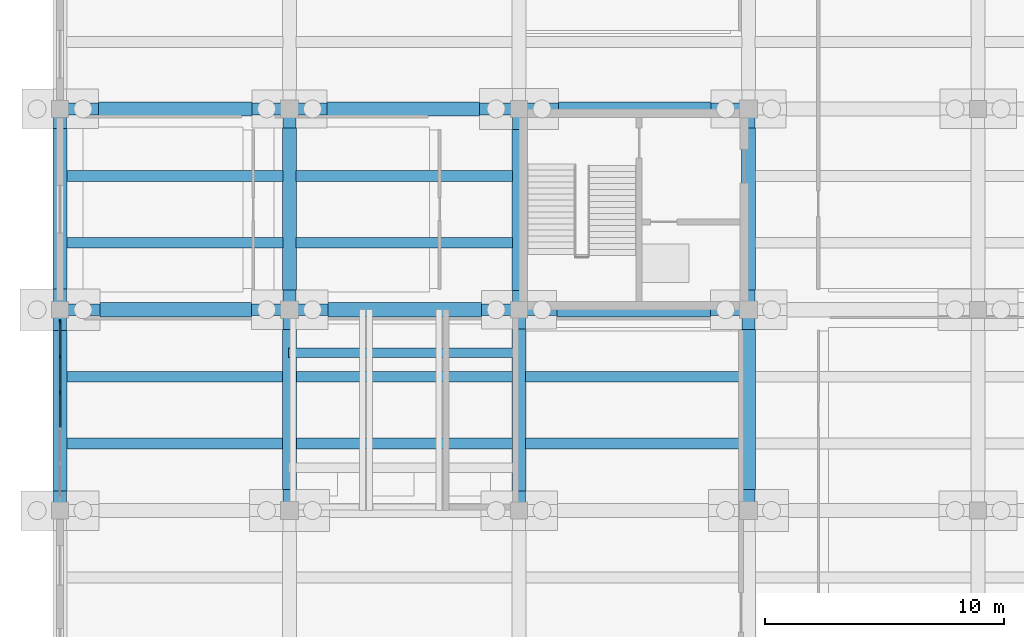
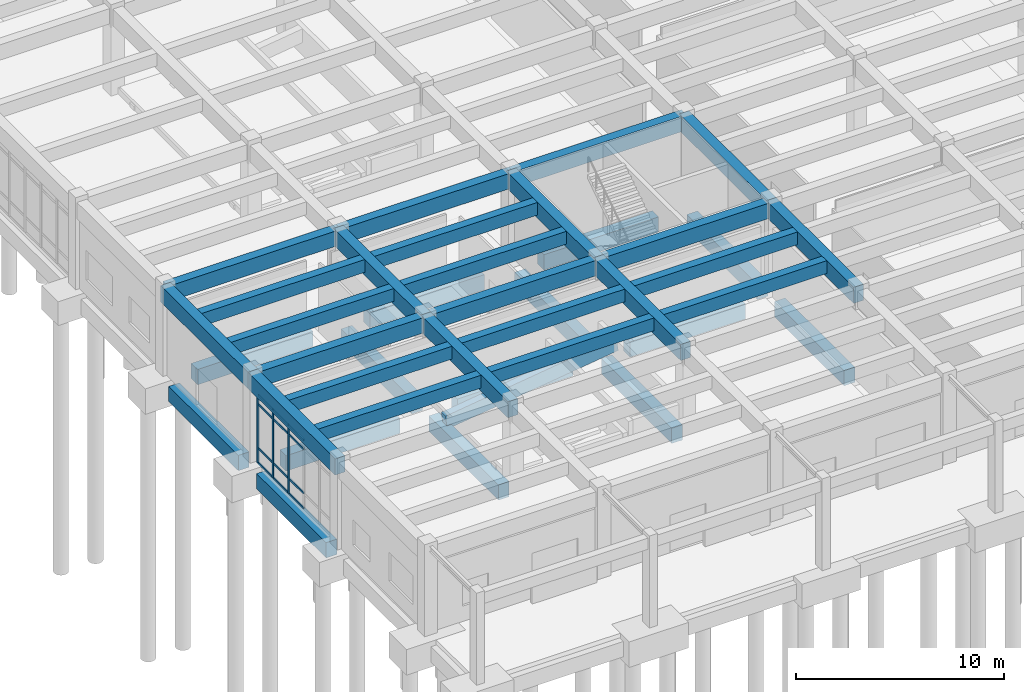
# One storey, part 12 of 102: 39 beams, 15 members, 1 element without a shape of its own.
"""IFC4 building model written with IfcOpenShell, lengths in metres."""

from ifc_helpers import new_model, si_unit, direction, frame, origin, origin_2d, place, context, subcontext, project, spatial, rectangle, extrude, material, layer, layer_set, material_profile, profile_set, type_object, element, aggregate, save


model = new_model("IFC4")

# Units and contexts
model_context = context("Model", 3, precision=1e-05, world=origin(), true_north=direction((0.0, 1.0)))
body_context = subcontext(model_context, "Body", "Model", "MODEL_VIEW")
ifc_project = project(units=[si_unit("LENGTHUNIT", "METRE"), si_unit("AREAUNIT", "SQUARE_METRE"), si_unit("VOLUMEUNIT", "CUBIC_METRE"), si_unit("PLANEANGLEUNIT", "RADIAN"), si_unit("MASSUNIT", "GRAM", prefix="KILO")], contexts=[model_context])

# Site, building, storey
site_placement = place(None, origin())
site = spatial("IfcSite", under=ifc_project, at=site_placement, CompositionType="ELEMENT")
building_placement = place(site_placement, origin())
building = spatial("IfcBuilding", under=site, at=building_placement, Name="Kolvemor Railside Polytechnic", CompositionType="ELEMENT")
storey_placement = place(building_placement, origin())
storey = spatial("IfcBuildingStorey", under=building, at=storey_placement, Name="L00", CompositionType="ELEMENT", Elevation=0.0)

# Beams
ifc_material_1 = material(Name="Concrete C40/50", Category="concrete")
ifc_material_profile_1 = material_profile(ifc_material_1, rectangle(XDim=0.550048828125, YDim=0.949951171875, at=origin_2d()), Name="RC550x950")
ifc_profile_set_1 = profile_set([ifc_material_profile_1], Name="Concrete C40/50")
beam_type_1 = type_object("IfcBeamType", Name="BM-RC-GIRD", PredefinedType="BEAM", material=ifc_profile_set_1)
beam_1_placement = place(storey_placement, frame((0.0, 13.199951171875, 4.635009765625), z_axis=(0.0, 1.0, 0.0), x_axis=(-1.0, 0.0, 0.0)))
element("IfcBeam", 1, at=beam_1_placement, inside=storey, type_object=beam_type_1, Name="Primary Girder L01-GY 0052", PredefinedType="BEAM", context=body_context, shape_type="SweptSolid", body=[
    extrude(rectangle(XDim=0.550048828125, YDim=0.949951171875, at=origin_2d()), origin(), (0.0, 0.0, 1.0), 8.400146484375),
])
beam_2_placement = place(storey_placement, frame((0.0, 21.60009765625, 4.635009765625), z_axis=(0.0, 1.0, 0.0), x_axis=(-1.0, 0.0, 0.0)))
element("IfcBeam", 2, at=beam_2_placement, inside=storey, type_object=beam_type_1, Name="Primary Girder L01-GY 0053", PredefinedType="BEAM", context=body_context, shape_type="SweptSolid", body=[
    extrude(rectangle(XDim=0.550048828125, YDim=0.949951171875, at=origin_2d()), origin(), (0.0, 0.0, 1.0), 8.39990234375),
])
beam_3_placement = place(storey_placement, frame((9.60009765625, 13.199951171875, 4.635009765625), z_axis=(0.0, 1.0, 0.0), x_axis=(-1.0, 0.0, 0.0)))
element("IfcBeam", 3, at=beam_3_placement, inside=storey, type_object=beam_type_1, Name="Primary Girder L01-GY 0061", PredefinedType="BEAM", context=body_context, shape_type="SweptSolid", body=[
    extrude(rectangle(XDim=0.550048828125, YDim=0.949951171875, at=origin_2d()), origin(), (0.0, 0.0, 1.0), 8.400146484375),
])
beam_4_placement = place(storey_placement, frame((9.60009765625, 21.60009765625, 4.635009765625), z_axis=(0.0, 1.0, 0.0), x_axis=(-1.0, 0.0, 0.0)))
element("IfcBeam", 4, at=beam_4_placement, inside=storey, type_object=beam_type_1, Name="Primary Girder L01-GY 0062", PredefinedType="BEAM", context=body_context, shape_type="SweptSolid", body=[
    extrude(rectangle(XDim=0.550048828125, YDim=0.949951171875, at=origin_2d()), origin(), (0.0, 0.0, 1.0), 8.39990234375),
])
beam_5_placement = place(storey_placement, frame((19.199951171875, 13.199951171875, 4.635009765625), z_axis=(0.0, 1.0, 0.0), x_axis=(-1.0, 0.0, 0.0)))
element("IfcBeam", 5, at=beam_5_placement, inside=storey, type_object=beam_type_1, Name="Primary Girder L01-GY 0070", PredefinedType="BEAM", context=body_context, shape_type="SweptSolid", body=[
    extrude(rectangle(XDim=0.550048828125, YDim=0.949951171875, at=origin_2d()), origin(), (0.0, 0.0, 1.0), 8.400146484375),
])
beam_6_placement = place(storey_placement, frame((19.199951171875, 21.60009765625, 4.635009765625), z_axis=(0.0, 1.0, 0.0), x_axis=(-1.0, 0.0, 0.0)))
element("IfcBeam", 6, at=beam_6_placement, inside=storey, type_object=beam_type_1, Name="Primary Girder L01-GY 0071", PredefinedType="BEAM", context=body_context, shape_type="SweptSolid", body=[
    extrude(rectangle(XDim=0.550048828125, YDim=0.949951171875, at=origin_2d()), origin(), (0.0, 0.0, 1.0), 8.39990234375),
])
beam_7_placement = place(storey_placement, frame((28.800048828125, 13.199951171875, 4.635009765625), z_axis=(0.0, 1.0, 0.0), x_axis=(-1.0, 0.0, 0.0)))
element("IfcBeam", 7, at=beam_7_placement, inside=storey, type_object=beam_type_1, Name="Primary Girder L01-GY 0079", PredefinedType="BEAM", context=body_context, shape_type="SweptSolid", body=[
    extrude(rectangle(XDim=0.550048828125, YDim=0.949951171875, at=origin_2d()), origin(), (0.0, 0.0, 1.0), 8.400146484375),
])
beam_8_placement = place(storey_placement, frame((28.800048828125, 21.60009765625, 4.635009765625), z_axis=(0.0, 1.0, 0.0), x_axis=(-1.0, 0.0, 0.0)))
element("IfcBeam", 8, at=beam_8_placement, inside=storey, type_object=beam_type_1, Name="Primary Girder L01-GY 0080", PredefinedType="BEAM", context=body_context, shape_type="SweptSolid", body=[
    extrude(rectangle(XDim=0.550048828125, YDim=0.949951171875, at=origin_2d()), origin(), (0.0, 0.0, 1.0), 8.39990234375),
])
ifc_material_2 = material(Name="Concrete C40/50", Category="concrete")
ifc_material_profile_2 = material_profile(ifc_material_2, rectangle(XDim=0.5, YDim=0.89990234375, at=origin_2d()), Name="RC500x900")
ifc_profile_set_2 = profile_set([ifc_material_profile_2], Name="Concrete C40/50")
beam_type_2 = type_object("IfcBeamType", Name="BM-RC-GIRD4", PredefinedType="BEAM", material=ifc_profile_set_2)
beam_9_placement = place(storey_placement, frame((0.0, 21.60009765625, 4.659912109375), z_axis=(1.0, 0.0, 0.0), x_axis=(0.0, 1.0, 0.0)))
element("IfcBeam", 9, at=beam_9_placement, inside=storey, type_object=beam_type_2, Name="Primary Girder L01-GX 0011", PredefinedType="BEAM", context=body_context, shape_type="SweptSolid", body=[
    extrude(rectangle(XDim=0.5, YDim=0.89990234375, at=origin_2d()), origin(), (0.0, 0.0, 1.0), 9.60009765625),
])
beam_10_placement = place(storey_placement, frame((9.60009765625, 21.60009765625, 4.659912109375), z_axis=(1.0, 0.0, 0.0), x_axis=(0.0, 1.0, 0.0)))
element("IfcBeam", 10, at=beam_10_placement, inside=storey, type_object=beam_type_2, Name="Primary Girder L01-GX 0012", PredefinedType="BEAM", context=body_context, shape_type="SweptSolid", body=[
    extrude(rectangle(XDim=0.5, YDim=0.89990234375, at=origin_2d()), origin(), (0.0, 0.0, 1.0), 9.599853515625),
])
for number, where, z_axis, x_axis, name in (
    (11, (19.199951171875, 21.60009765625, 4.659912109375), (1.0, 0.0, 0.0), (0.0, 1.0, 0.0), "Primary Girder L01-GX 0013"),
    (12, (0.0, 30.0, 4.659912109375), (1.0, 0.0, 0.0), (0.0, 1.0, 0.0), "Primary Girder L01-GX 0016"),
):
    element("IfcBeam", number, at=place(storey_placement, frame(where, z_axis=z_axis, x_axis=x_axis)), inside=storey, type_object=beam_type_2, Name=name, PredefinedType="BEAM", context=body_context, shape_type="SweptSolid", body=[
        extrude(rectangle(XDim=0.5, YDim=0.89990234375, at=origin_2d()), origin(), (0.0, 0.0, 1.0), 9.60009765625),
    ])
beam_11_placement = place(storey_placement, frame((9.60009765625, 30.0, 4.659912109375), z_axis=(1.0, 0.0, 0.0), x_axis=(0.0, 1.0, 0.0)))
element("IfcBeam", 13, at=beam_11_placement, inside=storey, type_object=beam_type_2, Name="Primary Girder L01-GX 0017", PredefinedType="BEAM", context=body_context, shape_type="SweptSolid", body=[
    extrude(rectangle(XDim=0.5, YDim=0.89990234375, at=origin_2d()), origin(), (0.0, 0.0, 1.0), 9.599853515625),
])
beam_12_placement = place(storey_placement, frame((19.199951171875, 30.0, 4.659912109375), z_axis=(1.0, 0.0, 0.0), x_axis=(0.0, 1.0, 0.0)))
element("IfcBeam", 14, at=beam_12_placement, inside=storey, type_object=beam_type_2, Name="Primary Girder L01-GX 0018", PredefinedType="BEAM", context=body_context, shape_type="SweptSolid", body=[
    extrude(rectangle(XDim=0.5, YDim=0.89990234375, at=origin_2d()), origin(), (0.0, 0.0, 1.0), 9.60009765625),
])
ifc_material_3 = material(Name="Concrete C40/50", Category="concrete")
ifc_material_profile_3 = material_profile(ifc_material_3, rectangle(XDim=0.39990234375, YDim=0.800048828125, at=origin_2d()), Name="RC400x800")
ifc_profile_set_3 = profile_set([ifc_material_profile_3], Name="Concrete C40/50")
beam_type_3 = type_object("IfcBeamType", Name="BM-RC-RAKER", PredefinedType="BEAM", material=ifc_profile_set_3)
beam_13_placement = place(storey_placement, frame((9.60009765625, 19.800048828125, -0.10009765625), z_axis=(0.990765911477, 0.0, 0.135583585491), x_axis=(0.0, 1.0, 0.0)))
element("IfcBeam", 15, at=beam_13_placement, inside=storey, type_object=beam_type_3, Name="Lecture Raker Beam RK-1-2", PredefinedType="BEAM", context=body_context, shape_type="SweptSolid", body=[
    extrude(rectangle(XDim=0.39990234375, YDim=0.800048828125, at=origin_2d()), origin(), (0.0, 0.0, 1.0), 9.588623046875),
])
ifc_material_4 = material(Name="Concrete C40/50", Category="concrete")
ifc_material_profile_4 = material_profile(ifc_material_4, rectangle(XDim=0.449951171875, YDim=0.75, at=origin_2d()), Name="RC450x750")
ifc_profile_set_4 = profile_set([ifc_material_profile_4], Name="Concrete C40/50")
beam_type_4 = type_object("IfcBeamType", Name="BM-RC-SEC", PredefinedType="JOIST", material=ifc_profile_set_4)
for number, where, z_axis, x_axis, name in (
    (16, (0.27490234375, 16.0, 4.735107421875), (1.0, 0.0, 0.0), (0.0, 1.0, 0.0), "Floor Joist L01-J0107"),
    (17, (0.27490234375, 18.800048828125, 4.735107421875), (1.0, 0.0, 0.0), (0.0, 1.0, 0.0), "Floor Joist L01-J0108"),
    (18, (0.27490234375, 24.39990234375, 4.735107421875), (1.0, 0.0, 0.0), (0.0, 1.0, 0.0), "Floor Joist L01-J0109"),
    (19, (0.27490234375, 27.199951171875, 4.735107421875), (1.0, 0.0, 0.0), (0.0, 1.0, 0.0), "Floor Joist L01-J0110"),
    (20, (9.875, 16.0, 4.735107421875), (1.0, 0.0, 0.0), (0.0, 1.0, 0.0), "Floor Joist L01-J0125"),
    (21, (9.875, 18.800048828125, 4.735107421875), (1.0, 0.0, 0.0), (0.0, 1.0, 0.0), "Floor Joist L01-J0126"),
    (22, (9.875, 24.39990234375, 4.735107421875), (1.0, 0.0, 0.0), (0.0, 1.0, 0.0), "Floor Joist L01-J0127"),
    (23, (9.875, 27.199951171875, 4.735107421875), (1.0, 0.0, 0.0), (0.0, 1.0, 0.0), "Floor Joist L01-J0128"),
):
    element("IfcBeam", number, at=place(storey_placement, frame(where, z_axis=z_axis, x_axis=x_axis)), inside=storey, type_object=beam_type_4, Name=name, PredefinedType="JOIST", context=body_context, shape_type="SweptSolid", body=[
        extrude(rectangle(XDim=0.449951171875, YDim=0.75, at=origin_2d()), origin(), (0.0, 0.0, 1.0), 9.050048828125),
    ])
for number, where, z_axis, x_axis, name in (
    (24, (19.47509765625, 16.0, 4.735107421875), (1.0, 0.0, 0.0), (0.0, 1.0, 0.0), "Floor Joist L01-J0143"),
    (25, (19.47509765625, 18.800048828125, 4.735107421875), (1.0, 0.0, 0.0), (0.0, 1.0, 0.0), "Floor Joist L01-J0144"),
):
    element("IfcBeam", number, at=place(storey_placement, frame(where, z_axis=z_axis, x_axis=x_axis)), inside=storey, type_object=beam_type_4, Name=name, PredefinedType="JOIST", context=body_context, shape_type="SweptSolid", body=[
        extrude(rectangle(XDim=0.449951171875, YDim=0.75, at=origin_2d()), origin(), (0.0, 0.0, 1.0), 9.0498046875),
    ])
ifc_material_5 = material(Name="Concrete C40/50", Category="concrete")
ifc_material_profile_5 = material_profile(ifc_material_5, rectangle(XDim=0.60009765625, YDim=0.89990234375, at=origin_2d()), Name="RC600x900")
ifc_profile_set_5 = profile_set([ifc_material_profile_5], Name="Concrete C40/50")
beam_type_5 = type_object("IfcBeamType", Name="BM-RC-TIE", PredefinedType="BEAM", material=ifc_profile_set_5)
beam_14_placement = place(storey_placement, frame((1.677001953125, 21.60009765625, -0.75), z_axis=(1.0, 0.0, 0.0), x_axis=(0.0, 1.0, 0.0)))
element("IfcBeam", 26, at=beam_14_placement, inside=storey, type_object=beam_type_5, Name="Ground Tie Beam GTB-X065", PredefinedType="BEAM", context=body_context, shape_type="SweptSolid", body=[
    extrude(rectangle(XDim=0.60009765625, YDim=0.89990234375, at=origin_2d()), origin(), (0.0, 0.0, 1.0), 6.321044921875),
])
beam_15_placement = place(storey_placement, frame((11.201904296875, 21.60009765625, -0.75), z_axis=(1.0, 0.0, 0.0), x_axis=(0.0, 1.0, 0.0)))
element("IfcBeam", 27, at=beam_15_placement, inside=storey, type_object=beam_type_5, Name="Ground Tie Beam GTB-X066", PredefinedType="BEAM", context=body_context, shape_type="SweptSolid", body=[
    extrude(rectangle(XDim=0.60009765625, YDim=0.89990234375, at=origin_2d()), origin(), (0.0, 0.0, 1.0), 6.421142578125),
])
for number, where, z_axis, x_axis, name in (
    (28, (20.777099609375, 21.60009765625, -0.75), (1.0, 0.0, 0.0), (0.0, 1.0, 0.0), "Ground Tie Beam GTB-X067"),
    (29, (1.60205078125, 30.0, -0.75), (1.0, 0.0, 0.0), (0.0, 1.0, 0.0), "Ground Tie Beam GTB-X086"),
):
    element("IfcBeam", number, at=place(storey_placement, frame(where, z_axis=z_axis, x_axis=x_axis)), inside=storey, type_object=beam_type_5, Name=name, PredefinedType="BEAM", context=body_context, shape_type="SweptSolid", body=[
        extrude(rectangle(XDim=0.60009765625, YDim=0.89990234375, at=origin_2d()), origin(), (0.0, 0.0, 1.0), 6.4208984375),
    ])
beam_16_placement = place(storey_placement, frame((11.177001953125, 30.0, -0.75), z_axis=(1.0, 0.0, 0.0), x_axis=(0.0, 1.0, 0.0)))
element("IfcBeam", 30, at=beam_16_placement, inside=storey, type_object=beam_type_5, Name="Ground Tie Beam GTB-X087", PredefinedType="BEAM", context=body_context, shape_type="SweptSolid", body=[
    extrude(rectangle(XDim=0.60009765625, YDim=0.89990234375, at=origin_2d()), origin(), (0.0, 0.0, 1.0), 6.37109375),
])
beam_17_placement = place(storey_placement, frame((20.85205078125, 30.0, -0.75), z_axis=(1.0, 0.0, 0.0), x_axis=(0.0, 1.0, 0.0)))
element("IfcBeam", 31, at=beam_17_placement, inside=storey, type_object=beam_type_5, Name="Ground Tie Beam GTB-X088", PredefinedType="BEAM", context=body_context, shape_type="SweptSolid", body=[
    extrude(rectangle(XDim=0.60009765625, YDim=0.89990234375, at=origin_2d()), origin(), (0.0, 0.0, 1.0), 6.370849609375),
])
beam_18_placement = place(storey_placement, frame((0.0, 14.027099609375, -0.75), z_axis=(0.0, 1.0, 0.0), x_axis=(-1.0, 0.0, 0.0)))
element("IfcBeam", 32, at=beam_18_placement, inside=storey, type_object=beam_type_5, Name="Ground Tie Beam GTB-Y230", PredefinedType="BEAM", context=body_context, shape_type="SweptSolid", body=[
    extrude(rectangle(XDim=0.60009765625, YDim=0.89990234375, at=origin_2d()), origin(), (0.0, 0.0, 1.0), 6.69580078125),
])
for number, where, z_axis, x_axis, name in (
    (33, (0.0, 22.47705078125, -0.75), (0.0, 1.0, 0.0), (-1.0, 0.0, 0.0), "Ground Tie Beam GTB-Y231"),
    (34, (9.60009765625, 14.076904296875, -0.75), (0.0, 1.0, 0.0), (-1.0, 0.0, 0.0), "Ground Tie Beam GTB-Y240"),
):
    element("IfcBeam", number, at=place(storey_placement, frame(where, z_axis=z_axis, x_axis=x_axis)), inside=storey, type_object=beam_type_5, Name=name, PredefinedType="BEAM", context=body_context, shape_type="SweptSolid", body=[
        extrude(rectangle(XDim=0.60009765625, YDim=0.89990234375, at=origin_2d()), origin(), (0.0, 0.0, 1.0), 6.696044921875),
    ])
for number, where, z_axis, x_axis, name in (
    (35, (9.60009765625, 22.427001953125, -0.75), (0.0, 1.0, 0.0), (-1.0, 0.0, 0.0), "Ground Tie Beam GTB-Y241"),
    (36, (19.199951171875, 14.027099609375, -0.75), (0.0, 1.0, 0.0), (-1.0, 0.0, 0.0), "Ground Tie Beam GTB-Y250"),
):
    element("IfcBeam", number, at=place(storey_placement, frame(where, z_axis=z_axis, x_axis=x_axis)), inside=storey, type_object=beam_type_5, Name=name, PredefinedType="BEAM", context=body_context, shape_type="SweptSolid", body=[
        extrude(rectangle(XDim=0.60009765625, YDim=0.89990234375, at=origin_2d()), origin(), (0.0, 0.0, 1.0), 6.77099609375),
    ])
beam_19_placement = place(storey_placement, frame((19.199951171875, 22.402099609375, -0.75), z_axis=(0.0, 1.0, 0.0), x_axis=(-1.0, 0.0, 0.0)))
element("IfcBeam", 37, at=beam_19_placement, inside=storey, type_object=beam_type_5, Name="Ground Tie Beam GTB-Y251", PredefinedType="BEAM", context=body_context, shape_type="SweptSolid", body=[
    extrude(rectangle(XDim=0.60009765625, YDim=0.89990234375, at=origin_2d()), origin(), (0.0, 0.0, 1.0), 6.745849609375),
])
beam_20_placement = place(storey_placement, frame((28.800048828125, 14.076904296875, -0.75), z_axis=(0.0, 1.0, 0.0), x_axis=(-1.0, 0.0, 0.0)))
element("IfcBeam", 38, at=beam_20_placement, inside=storey, type_object=beam_type_5, Name="Ground Tie Beam GTB-Y263", PredefinedType="BEAM", context=body_context, shape_type="SweptSolid", body=[
    extrude(rectangle(XDim=0.60009765625, YDim=0.89990234375, at=origin_2d()), origin(), (0.0, 0.0, 1.0), 6.696044921875),
])
beam_21_placement = place(storey_placement, frame((28.800048828125, 22.427001953125, -0.75), z_axis=(0.0, 1.0, 0.0), x_axis=(-1.0, 0.0, 0.0)))
element("IfcBeam", 39, at=beam_21_placement, inside=storey, type_object=beam_type_5, Name="Ground Tie Beam GTB-Y264", PredefinedType="BEAM", context=body_context, shape_type="SweptSolid", body=[
    extrude(rectangle(XDim=0.60009765625, YDim=0.89990234375, at=origin_2d()), origin(), (0.0, 0.0, 1.0), 6.77099609375),
])

# Curtain wall, members
ifc_material_6 = material(Name="Anodised marine aluminium and laminated low-E glass", Category="aluminium")
ifc_layer = layer(ifc_material_6, 0.179931640625, Name="CW-UNIT-STD")
ifc_layer_set = layer_set([ifc_layer], Name="Anodised marine aluminium and laminated low-E glass")
curtain_wall_type = type_object("IfcCurtainWallType", Name="CW-UNIT-STD", PredefinedType="USERDEFINED", material=ifc_layer_set)
curtain_wall_placement = place(storey_placement, origin())
curtain_wall = element("IfcCurtainWall", 40, at=curtain_wall_placement, inside=storey, type_object=curtain_wall_type, Name="Curtain Wall L00-046", ObjectType="UNITISED CURTAIN WALL", PredefinedType="USERDEFINED")
ifc_material_7 = material(Name="Anodised marine aluminium 6063-T6", Category="aluminium")
ifc_material_profile_6 = material_profile(ifc_material_7, rectangle(XDim=0.06494140625, YDim=0.14990234375, at=origin_2d()), Name="CW-MUL-65x150")
ifc_profile_set_6 = profile_set([ifc_material_profile_6], Name="Anodised marine aluminium 6063-T6")
member_type_1 = type_object("IfcMemberType", Name="CWM-65x150", PredefinedType="MULLION", material=ifc_profile_set_6)
member_1_placement = place(storey_placement, frame((0.0, 21.097412109375, 0.0), z_axis=(0.0, 0.0, 1.0), x_axis=(1.0, 0.0, 0.0)))
member_1 = element("IfcMember", 41, at=member_1_placement, type_object=member_type_1, Name="CW-STD mullion 1", PredefinedType="MULLION", context=body_context, shape_type="SweptSolid", body=[
    extrude(rectangle(XDim=0.06494140625, YDim=0.14990234375, at=origin_2d()), origin(), (0.0, 0.0, 1.0), 4.0400390625),
])
member_2_placement = place(storey_placement, frame((0.0, 19.637939453125, 0.0), z_axis=(0.0, 0.0, 1.0), x_axis=(1.0, 0.0, 0.0)))
member_2 = element("IfcMember", 42, at=member_2_placement, type_object=member_type_1, Name="CW-STD mullion 2", PredefinedType="MULLION", context=body_context, shape_type="SweptSolid", body=[
    extrude(rectangle(XDim=0.06494140625, YDim=0.14990234375, at=origin_2d()), origin(), (0.0, 0.0, 1.0), 4.0400390625),
])
member_3_placement = place(storey_placement, frame((0.0, 18.14599609375, 0.0), z_axis=(0.0, 0.0, 1.0), x_axis=(1.0, 0.0, 0.0)))
member_3 = element("IfcMember", 43, at=member_3_placement, type_object=member_type_1, Name="CW-STD mullion 3", PredefinedType="MULLION", context=body_context, shape_type="SweptSolid", body=[
    extrude(rectangle(XDim=0.06494140625, YDim=0.14990234375, at=origin_2d()), origin(), (0.0, 0.0, 1.0), 4.0400390625),
])
ifc_material_8 = material(Name="Anodised marine aluminium 6063-T6", Category="aluminium")
ifc_material_profile_7 = material_profile(ifc_material_8, rectangle(XDim=0.06494140625, YDim=0.1201171875, at=origin_2d()), Name="CW-TRN-65x120")
ifc_profile_set_7 = profile_set([ifc_material_profile_7], Name="Anodised marine aluminium 6063-T6")
member_type_2 = type_object("IfcMemberType", Name="CWT-65x120", PredefinedType="USERDEFINED", material=ifc_profile_set_7)
member_4_placement = place(storey_placement, frame((0.0, 21.06494140625, 0.032470703125), z_axis=(0.0, -1.0, 0.0), x_axis=(1.0, 0.0, 0.0)))
member_4 = element("IfcMember", 44, at=member_4_placement, type_object=member_type_2, Name="CW-STD transom 1.1", ObjectType="TRANSOM", PredefinedType="USERDEFINED", context=body_context, shape_type="SweptSolid", body=[
    extrude(rectangle(XDim=0.06494140625, YDim=0.1201171875, at=origin_2d()), origin(), (0.0, 0.0, 1.0), 1.39453125),
])
member_5_placement = place(storey_placement, frame((0.0, 21.06494140625, 0.89990234375), z_axis=(0.0, -1.0, 0.0), x_axis=(1.0, 0.0, 0.0)))
member_5 = element("IfcMember", 45, at=member_5_placement, type_object=member_type_2, Name="CW-STD transom 1.2", ObjectType="TRANSOM", PredefinedType="USERDEFINED", context=body_context, shape_type="SweptSolid", body=[
    extrude(rectangle(XDim=0.06494140625, YDim=0.1201171875, at=origin_2d()), origin(), (0.0, 0.0, 1.0), 1.39453125),
])
member_6_placement = place(storey_placement, frame((0.0, 21.06494140625, 3.489990234375), z_axis=(0.0, -1.0, 0.0), x_axis=(1.0, 0.0, 0.0)))
member_6 = element("IfcMember", 46, at=member_6_placement, type_object=member_type_2, Name="CW-STD transom 1.3", ObjectType="TRANSOM", PredefinedType="USERDEFINED", context=body_context, shape_type="SweptSolid", body=[
    extrude(rectangle(XDim=0.06494140625, YDim=0.1201171875, at=origin_2d()), origin(), (0.0, 0.0, 1.0), 1.39453125),
])
member_7_placement = place(storey_placement, frame((0.0, 21.06494140625, 4.007568359375), z_axis=(0.0, -1.0, 0.0), x_axis=(1.0, 0.0, 0.0)))
member_7 = element("IfcMember", 47, at=member_7_placement, type_object=member_type_2, Name="CW-STD transom 1.4", ObjectType="TRANSOM", PredefinedType="USERDEFINED", context=body_context, shape_type="SweptSolid", body=[
    extrude(rectangle(XDim=0.06494140625, YDim=0.1201171875, at=origin_2d()), origin(), (0.0, 0.0, 1.0), 1.39453125),
])
member_8_placement = place(storey_placement, frame((0.0, 19.60546875, 0.032470703125), z_axis=(0.0, -1.0, 0.0), x_axis=(1.0, 0.0, 0.0)))
member_8 = element("IfcMember", 48, at=member_8_placement, type_object=member_type_2, Name="CW-STD transom 2.1", ObjectType="TRANSOM", PredefinedType="USERDEFINED", context=body_context, shape_type="SweptSolid", body=[
    extrude(rectangle(XDim=0.06494140625, YDim=0.1201171875, at=origin_2d()), origin(), (0.0, 0.0, 1.0), 1.427001953125),
])
member_9_placement = place(storey_placement, frame((0.0, 19.60546875, 0.89990234375), z_axis=(0.0, -1.0, 0.0), x_axis=(1.0, 0.0, 0.0)))
member_9 = element("IfcMember", 49, at=member_9_placement, type_object=member_type_2, Name="CW-STD transom 2.2", ObjectType="TRANSOM", PredefinedType="USERDEFINED", context=body_context, shape_type="SweptSolid", body=[
    extrude(rectangle(XDim=0.06494140625, YDim=0.1201171875, at=origin_2d()), origin(), (0.0, 0.0, 1.0), 1.427001953125),
])
member_10_placement = place(storey_placement, frame((0.0, 19.60546875, 3.489990234375), z_axis=(0.0, -1.0, 0.0), x_axis=(1.0, 0.0, 0.0)))
member_10 = element("IfcMember", 50, at=member_10_placement, type_object=member_type_2, Name="CW-STD transom 2.3", ObjectType="TRANSOM", PredefinedType="USERDEFINED", context=body_context, shape_type="SweptSolid", body=[
    extrude(rectangle(XDim=0.06494140625, YDim=0.1201171875, at=origin_2d()), origin(), (0.0, 0.0, 1.0), 1.427001953125),
])
member_11_placement = place(storey_placement, frame((0.0, 19.60546875, 4.007568359375), z_axis=(0.0, -1.0, 0.0), x_axis=(1.0, 0.0, 0.0)))
member_11 = element("IfcMember", 51, at=member_11_placement, type_object=member_type_2, Name="CW-STD transom 2.4", ObjectType="TRANSOM", PredefinedType="USERDEFINED", context=body_context, shape_type="SweptSolid", body=[
    extrude(rectangle(XDim=0.06494140625, YDim=0.1201171875, at=origin_2d()), origin(), (0.0, 0.0, 1.0), 1.427001953125),
])
member_12_placement = place(storey_placement, frame((0.0, 18.113525390625, 0.032470703125), z_axis=(0.0, -1.0, 0.0), x_axis=(1.0, 0.0, 0.0)))
member_12 = element("IfcMember", 52, at=member_12_placement, type_object=member_type_2, Name="CW-STD transom 3.1", ObjectType="TRANSOM", PredefinedType="USERDEFINED", context=body_context, shape_type="SweptSolid", body=[
    extrude(rectangle(XDim=0.06494140625, YDim=0.1201171875, at=origin_2d()), origin(), (0.0, 0.0, 1.0), 1.427001953125),
])
member_13_placement = place(storey_placement, frame((0.0, 18.113525390625, 0.89990234375), z_axis=(0.0, -1.0, 0.0), x_axis=(1.0, 0.0, 0.0)))
member_13 = element("IfcMember", 53, at=member_13_placement, type_object=member_type_2, Name="CW-STD transom 3.2", ObjectType="TRANSOM", PredefinedType="USERDEFINED", context=body_context, shape_type="SweptSolid", body=[
    extrude(rectangle(XDim=0.06494140625, YDim=0.1201171875, at=origin_2d()), origin(), (0.0, 0.0, 1.0), 1.427001953125),
])
member_14_placement = place(storey_placement, frame((0.0, 18.113525390625, 3.489990234375), z_axis=(0.0, -1.0, 0.0), x_axis=(1.0, 0.0, 0.0)))
member_14 = element("IfcMember", 54, at=member_14_placement, type_object=member_type_2, Name="CW-STD transom 3.3", ObjectType="TRANSOM", PredefinedType="USERDEFINED", context=body_context, shape_type="SweptSolid", body=[
    extrude(rectangle(XDim=0.06494140625, YDim=0.1201171875, at=origin_2d()), origin(), (0.0, 0.0, 1.0), 1.427001953125),
])
member_15_placement = place(storey_placement, frame((0.0, 18.113525390625, 4.007568359375), z_axis=(0.0, -1.0, 0.0), x_axis=(1.0, 0.0, 0.0)))
member_15 = element("IfcMember", 55, at=member_15_placement, type_object=member_type_2, Name="CW-STD transom 3.4", ObjectType="TRANSOM", PredefinedType="USERDEFINED", context=body_context, shape_type="SweptSolid", body=[
    extrude(rectangle(XDim=0.06494140625, YDim=0.1201171875, at=origin_2d()), origin(), (0.0, 0.0, 1.0), 1.427001953125),
])
aggregate(curtain_wall, [member_1, member_2, member_3, member_4, member_5, member_6, member_7, member_8, member_9, member_10, member_11, member_12, member_13, member_14, member_15])

save(model, "model.ifc")
